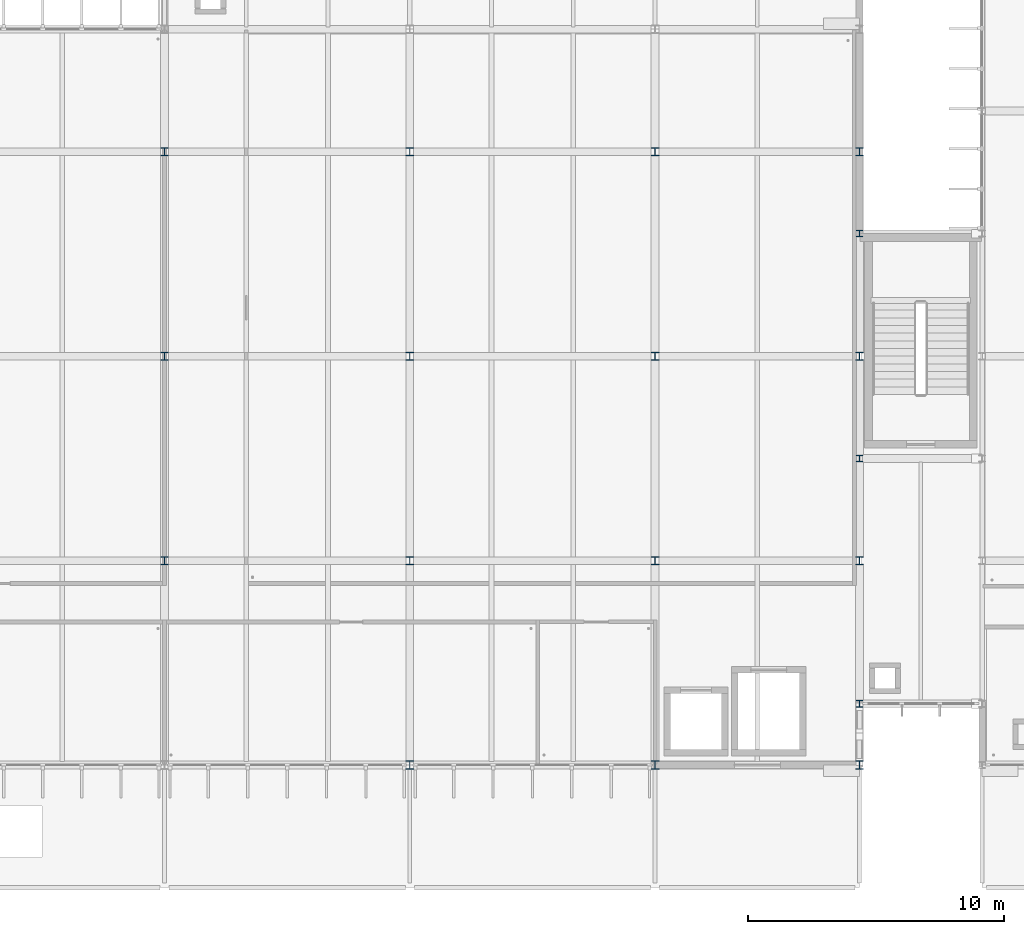
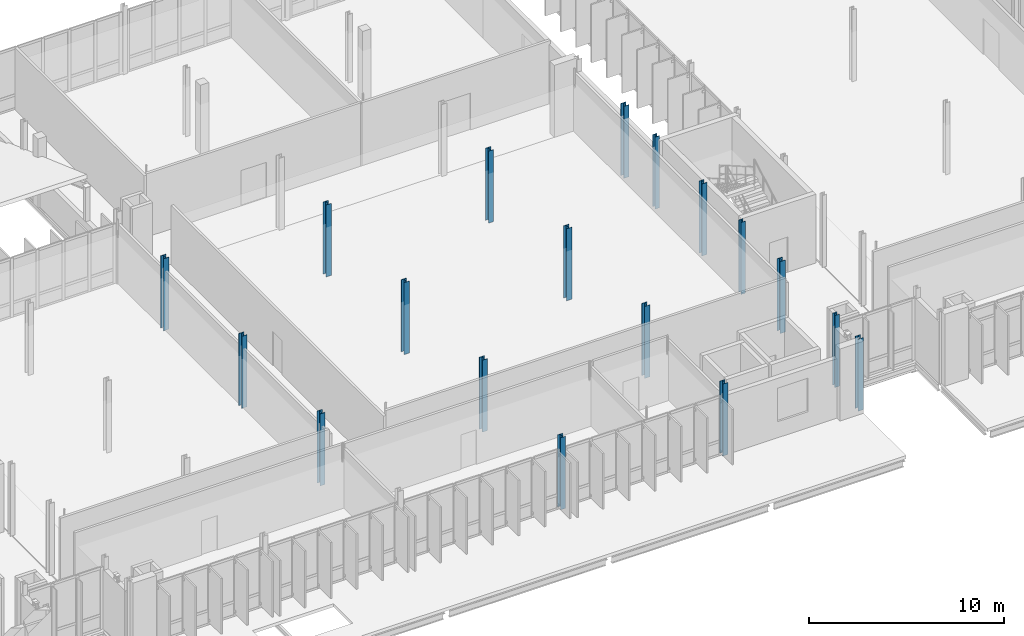
# One storey, part 7 of 107: 18 columns.
"""IFC4 building model written with IfcOpenShell, lengths in metres."""

from ifc_helpers import new_model, si_unit, direction, frame, origin, origin_2d, place, context, subcontext, project, spatial, i_section, extrude, material, material_profile, profile_set, type_object, element, save


model = new_model("IFC4")

# Units and contexts
model_context = context("Model", 3, precision=1e-05, world=origin(), true_north=direction((0.0, 1.0)))
body_context = subcontext(model_context, "Body", "Model", "MODEL_VIEW")
ifc_project = project(units=[si_unit("LENGTHUNIT", "METRE"), si_unit("AREAUNIT", "SQUARE_METRE"), si_unit("VOLUMEUNIT", "CUBIC_METRE"), si_unit("PLANEANGLEUNIT", "RADIAN"), si_unit("MASSUNIT", "GRAM", prefix="KILO")], contexts=[model_context])

# Site, building, storey
site_placement = place(None, origin())
site = spatial("IfcSite", under=ifc_project, at=site_placement, CompositionType="ELEMENT")
building_placement = place(site_placement, origin())
building = spatial("IfcBuilding", under=site, at=building_placement, Name="Dunescarp Central Library", CompositionType="ELEMENT")
storey_placement = place(building_placement, frame((0.0, 0.0, 5.10009765625)))
storey = spatial("IfcBuildingStorey", under=building, at=storey_placement, Name="L01", CompositionType="ELEMENT", Elevation=5.10009765625)

# Columns
ifc_material = material(Name="Steel S355JR", Category="steel")
ifc_material_profile_1 = material_profile(ifc_material, i_section(OverallWidth=0.2587890625, OverallDepth=0.2666015625, WebThickness=0.0126953125, FlangeThickness=0.0205078125, at=origin_2d()), Name="UC 254x254x107")
ifc_profile_set_1 = profile_set([ifc_material_profile_1], Name="Steel S355JR")
column_type_1 = type_object("IfcColumnType", Name="STR-COL-UC254X107", PredefinedType="COLUMN", material=ifc_profile_set_1)
for number, where, z_axis, x_axis, name in (
    (1, (124.800048828125, 7.199951171875, 0.0), (0.0, 0.0, 1.0), (1.0, 0.0, 0.0), "L01 column V3L-1248-72"),
    (2, (124.800048828125, 16.800048828125, 0.0), (0.0, 0.0, 1.0), (1.0, 0.0, 0.0), "L01 column V3L-1248-168"),
    (3, (124.800048828125, 25.60009765625, 0.0), (0.0, 0.0, 1.0), (1.0, 0.0, 0.0), "L01 column V3L-1248-256"),
):
    element("IfcColumn", number, at=place(storey_placement, frame(where, z_axis=z_axis, x_axis=x_axis)), inside=storey, type_object=column_type_1, Name=name, PredefinedType="COLUMN", context=body_context, shape_type="SweptSolid", body=[
        extrude(i_section(OverallWidth=0.2587890625, OverallDepth=0.2666015625, WebThickness=0.0126953125, FlangeThickness=0.0205078125, at=origin_2d()), origin(), (0.0, 0.0, 1.0), 4.5),
    ])
ifc_material_profile_2 = material_profile(ifc_material, i_section(OverallWidth=0.30908203125, OverallDepth=0.320556640625, WebThickness=0.013916015625, FlangeThickness=0.021728515625, at=origin_2d()), Name="UC 305x305x137")
ifc_profile_set_2 = profile_set([ifc_material_profile_2], Name="Steel S355JR")
column_type_2 = type_object("IfcColumnType", Name="STR-COL-UC305X137", PredefinedType="COLUMN", material=ifc_profile_set_2)
for number, where, z_axis, x_axis, name in (
    (4, (97.60009765625, 12.800048828125, 0.0), (0.0, 0.0, 1.0), (1.0, 0.0, 0.0), "L01 column V3-976-128"),
    (5, (97.60009765625, 20.800048828125, 0.0), (0.0, 0.0, 1.0), (1.0, 0.0, 0.0), "L01 column V3-976-208"),
    (6, (97.60009765625, 28.800048828125, 0.0), (0.0, 0.0, 1.0), (1.0, 0.0, 0.0), "L01 column V3-976-288"),
    (7, (107.199951171875, 4.800048828125, 0.0), (0.0, 0.0, 1.0), (1.0, 0.0, 0.0), "L01 column V3-1072-48"),
    (8, (107.199951171875, 12.800048828125, 0.0), (0.0, 0.0, 1.0), (1.0, 0.0, 0.0), "L01 column V3-1072-128"),
    (9, (107.199951171875, 20.800048828125, 0.0), (0.0, 0.0, 1.0), (1.0, 0.0, 0.0), "L01 column V3-1072-208"),
    (10, (107.199951171875, 28.800048828125, 0.0), (0.0, 0.0, 1.0), (1.0, 0.0, 0.0), "L01 column V3-1072-288"),
    (11, (116.800048828125, 4.800048828125, 0.0), (0.0, 0.0, 1.0), (1.0, 0.0, 0.0), "L01 column V3-1168-48"),
    (12, (116.800048828125, 12.800048828125, 0.0), (0.0, 0.0, 1.0), (1.0, 0.0, 0.0), "L01 column V3-1168-128"),
    (13, (116.800048828125, 20.800048828125, 0.0), (0.0, 0.0, 1.0), (1.0, 0.0, 0.0), "L01 column V3-1168-208"),
    (14, (116.800048828125, 28.800048828125, 0.0), (0.0, 0.0, 1.0), (1.0, 0.0, 0.0), "L01 column V3-1168-288"),
    (15, (124.800048828125, 4.800048828125, 0.0), (0.0, 0.0, 1.0), (1.0, 0.0, 0.0), "L01 column V3-1248-48"),
    (16, (124.800048828125, 12.800048828125, 0.0), (0.0, 0.0, 1.0), (1.0, 0.0, 0.0), "L01 column V3-1248-128"),
    (17, (124.800048828125, 20.800048828125, 0.0), (0.0, 0.0, 1.0), (1.0, 0.0, 0.0), "L01 column V3-1248-208"),
    (18, (124.800048828125, 28.800048828125, 0.0), (0.0, 0.0, 1.0), (1.0, 0.0, 0.0), "L01 column V3-1248-288"),
):
    element("IfcColumn", number, at=place(storey_placement, frame(where, z_axis=z_axis, x_axis=x_axis)), inside=storey, type_object=column_type_2, Name=name, PredefinedType="COLUMN", context=body_context, shape_type="SweptSolid", body=[
        extrude(i_section(OverallWidth=0.30908203125, OverallDepth=0.320556640625, WebThickness=0.013916015625, FlangeThickness=0.021728515625, at=origin_2d()), origin(), (0.0, 0.0, 1.0), 4.5),
    ])

save(model, "model.ifc")
